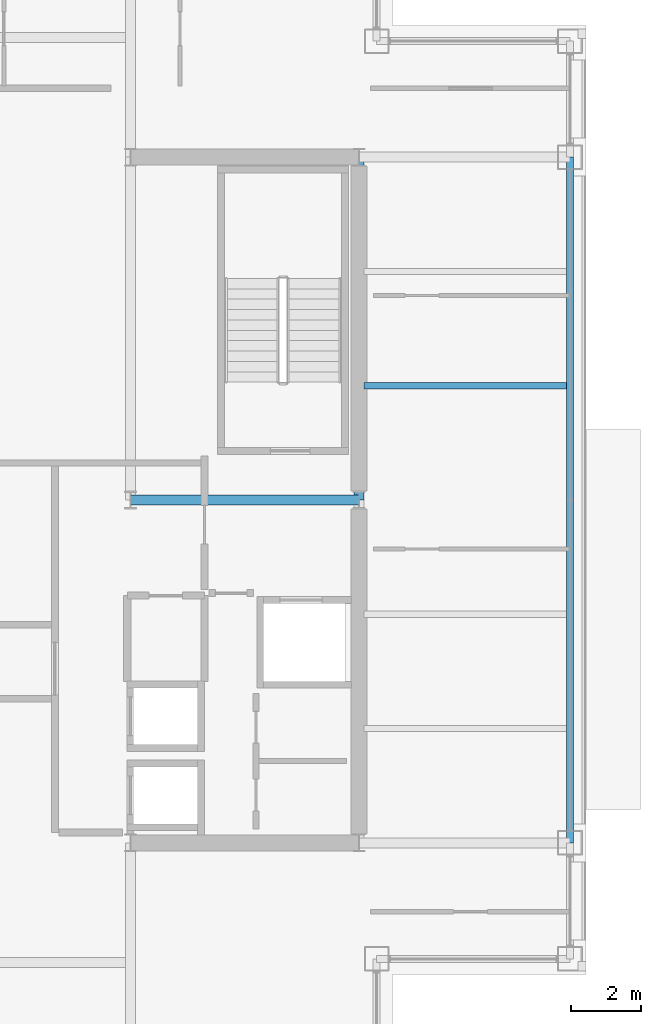
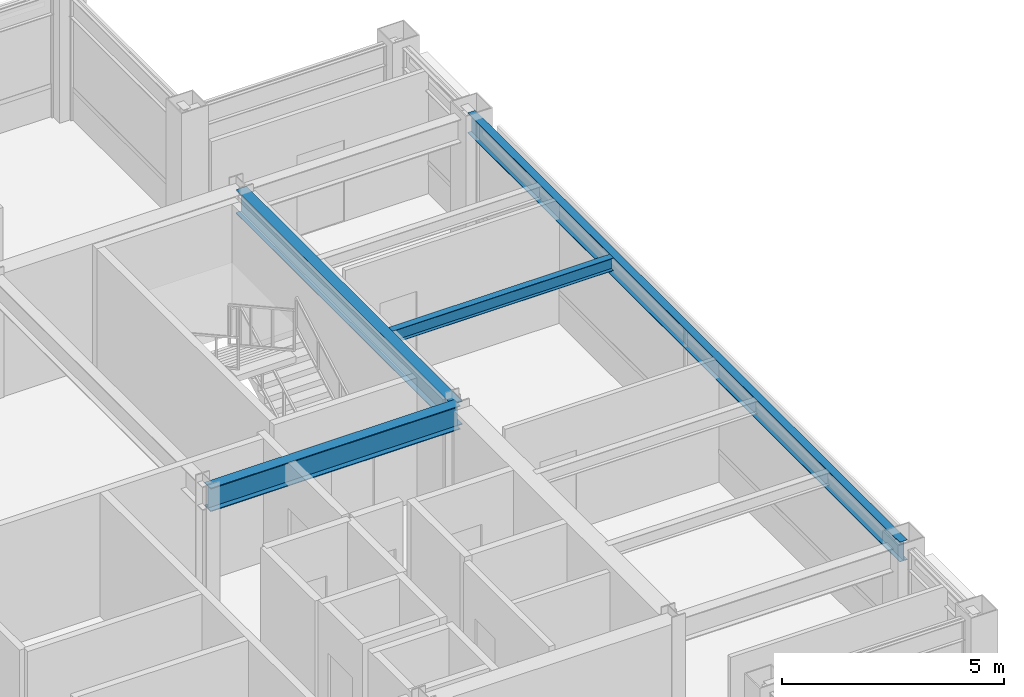
# One storey, part 15 of 26: 4 beams.
"""IFC4 building model written with IfcOpenShell, lengths in metres."""

from ifc_helpers import new_model, si_unit, direction, frame, origin, origin_2d, place, context, subcontext, project, spatial, i_section, extrude, material, material_profile, profile_set, type_object, element, save


model = new_model("IFC4")

# Units and contexts
model_context = context("Model", 3, precision=1e-05, world=origin(), true_north=direction((0.0, 1.0)))
body_context = subcontext(model_context, "Body", "Model", "MODEL_VIEW")
ifc_project = project(units=[si_unit("LENGTHUNIT", "METRE"), si_unit("AREAUNIT", "SQUARE_METRE"), si_unit("VOLUMEUNIT", "CUBIC_METRE"), si_unit("PLANEANGLEUNIT", "RADIAN"), si_unit("MASSUNIT", "GRAM", prefix="KILO")], contexts=[model_context])

# Site, building, storey
site_placement = place(None, origin())
site = spatial("IfcSite", under=ifc_project, at=site_placement, CompositionType="ELEMENT")
building_placement = place(site_placement, origin())
building = spatial("IfcBuilding", under=site, at=building_placement, Name="Brelmoor Portico Tower", CompositionType="ELEMENT")
storey_placement = place(building_placement, frame((0.0, 0.0, 205.5)))
storey = spatial("IfcBuildingStorey", under=building, at=storey_placement, Name="L54", CompositionType="ELEMENT", Elevation=205.5)

# Beams
ifc_material = material(Name="Steel Q355B", Category="steel")
ifc_material_profile_1 = material_profile(ifc_material, i_section(OverallWidth=0.175048828125, OverallDepth=0.35009765625, WebThickness=0.007080078125, FlangeThickness=0.010986328125, at=origin_2d()), Name="HN 350x175x7x11")
ifc_profile_set_1 = profile_set([ifc_material_profile_1], Name="Steel Q355B")
beam_type_1 = type_object("IfcBeamType", Name="BM-JS-350", PredefinedType="JOIST", material=ifc_profile_set_1)
beam_1_placement = place(storey_placement, frame((14.68994140625, 3.25, 3.22509765625), z_axis=(1.0, 0.0, 0.0), x_axis=(0.0, 1.0, 0.0)))
element("IfcBeam", 1, at=beam_1_placement, inside=storey, type_object=beam_type_1, Name="L54 Secondary Wing Joist JS-E09", PredefinedType="JOIST", context=body_context, shape_type="SweptSolid", body=[
    extrude(i_section(OverallWidth=0.175048828125, OverallDepth=0.35009765625, WebThickness=0.007080078125, FlangeThickness=0.010986328125, at=origin_2d()), origin(), (0.0, 0.0, 1.0), 5.760009765625),
])
ifc_material_profile_2 = material_profile(ifc_material, i_section(OverallWidth=0.280029296875, OverallDepth=0.64990234375, WebThickness=0.012939453125, FlangeThickness=0.02197265625, at=origin_2d()), Name="HN 650x280x13x22")
ifc_profile_set_2 = profile_set([ifc_material_profile_2], Name="Steel Q355B")
beam_type_2 = type_object("IfcBeamType", Name="BM-PG-650", PredefinedType="BEAM", material=ifc_profile_set_2)
beam_2_placement = place(storey_placement, frame((14.550048828125, 0.0, 3.074951171875), z_axis=(0.0, 1.0, 0.0), x_axis=(-1.0, 0.0, 0.0)))
element("IfcBeam", 2, at=beam_2_placement, inside=storey, type_object=beam_type_2, Name="L54 Primary Floor Girder PG-10", PredefinedType="BEAM", context=body_context, shape_type="SweptSolid", body=[
    extrude(i_section(OverallWidth=0.280029296875, OverallDepth=0.64990234375, WebThickness=0.012939453125, FlangeThickness=0.02197265625, at=origin_2d()), origin(), (0.0, 0.0, 1.0), 9.75),
])
beam_3_placement = place(storey_placement, frame((8.050048828125, 0.0, 3.074951171875), z_axis=(1.0, 0.0, 0.0), x_axis=(0.0, 1.0, 0.0)))
element("IfcBeam", 3, at=beam_3_placement, inside=storey, type_object=beam_type_2, Name="L54 Primary Floor Girder PG-16", PredefinedType="BEAM", context=body_context, shape_type="SweptSolid", body=[
    extrude(i_section(OverallWidth=0.280029296875, OverallDepth=0.64990234375, WebThickness=0.012939453125, FlangeThickness=0.02197265625, at=origin_2d()), origin(), (0.0, 0.0, 1.0), 6.5),
])
ifc_material_profile_3 = material_profile(ifc_material, i_section(OverallWidth=0.199951171875, OverallDepth=0.550048828125, WebThickness=0.010009765625, FlangeThickness=0.01611328125, at=origin_2d()), Name="HN 550x200x10x16")
ifc_profile_set_3 = profile_set([ifc_material_profile_3], Name="Steel Q355B")
beam_type_3 = type_object("IfcBeamType", Name="BM-SP-550", PredefinedType="SPANDREL", material=ifc_profile_set_3)
beam_4_placement = place(storey_placement, frame((20.550048828125, -9.75, 3.125), z_axis=(0.0, 1.0, 0.0), x_axis=(-1.0, 0.0, 0.0)))
element("IfcBeam", 4, at=beam_4_placement, inside=storey, type_object=beam_type_3, Name="L54 Perimeter Spandrel Beam SP-19", PredefinedType="SPANDREL", context=body_context, shape_type="SweptSolid", body=[
    extrude(i_section(OverallWidth=0.199951171875, OverallDepth=0.550048828125, WebThickness=0.010009765625, FlangeThickness=0.01611328125, at=origin_2d()), origin(), (0.0, 0.0, 1.0), 19.5),
])

save(model, "model.ifc")
